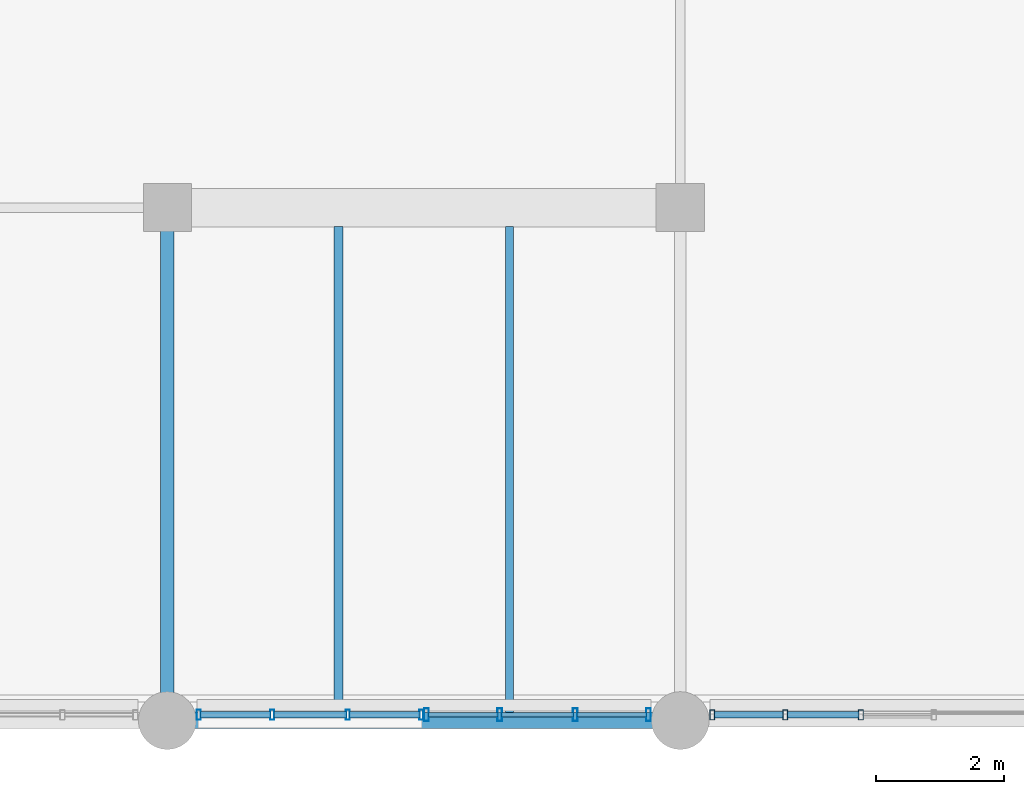
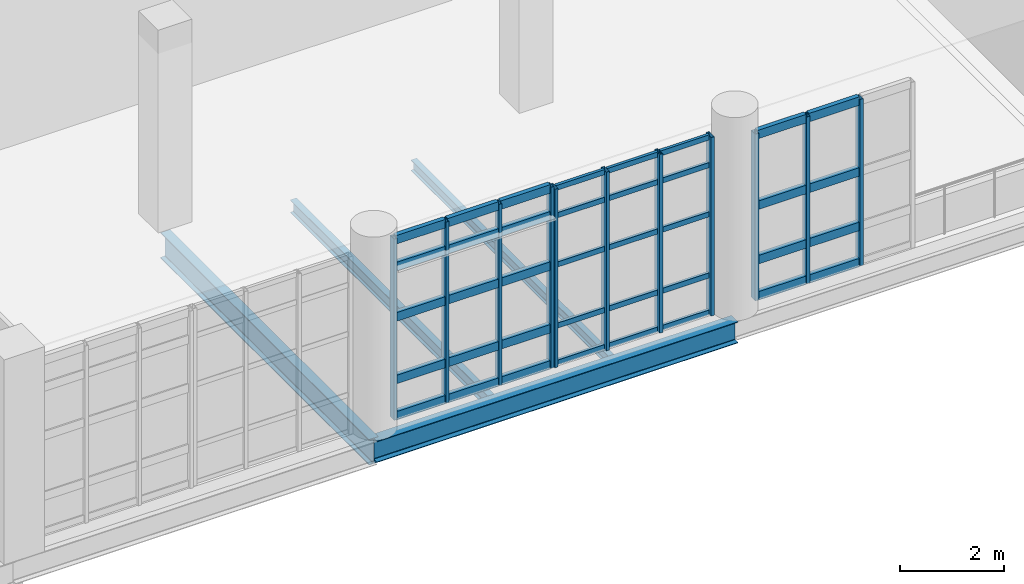
# One storey, part 17 of 100: 49 members, 4 beams, 3 elements without a shape of their own.
"""IFC4 building model written with IfcOpenShell, lengths in metres."""

from ifc_helpers import new_model, si_unit, derived_unit, direction, frame, origin, origin_2d, place, context, subcontext, project, spatial, hollow_rectangle, i_section, extrude, material, layer, layer_set, material_profile, profile_set, type_object, element, aggregate, save


model = new_model("IFC4")

# Units and contexts
model_context = context("Model", 3, precision=1e-05, world=origin(), true_north=direction((0.0, 1.0)))
body_context = subcontext(model_context, "Body", "Model", "MODEL_VIEW")
ifc_project = project(units=[si_unit("LENGTHUNIT", "METRE"), si_unit("AREAUNIT", "SQUARE_METRE"), si_unit("VOLUMEUNIT", "CUBIC_METRE"), si_unit("PLANEANGLEUNIT", "RADIAN"), si_unit("MASSUNIT", "GRAM", prefix="KILO"), derived_unit("THERMALTRANSMITTANCEUNIT", [(si_unit("POWERUNIT", "WATT"), 1), (si_unit("LENGTHUNIT", "METRE"), -2), (si_unit("THERMODYNAMICTEMPERATUREUNIT", "KELVIN"), -1)])], contexts=[model_context])

# Site, building, storey
site_placement = place(None, origin())
site = spatial("IfcSite", under=ifc_project, at=site_placement, CompositionType="ELEMENT")
building_placement = place(site_placement, origin())
building = spatial("IfcBuilding", under=site, at=building_placement, Name="Nallur Shell Playhouse", CompositionType="ELEMENT")
storey_placement = place(building_placement, frame((0.0, 0.0, 10.199951171875)))
storey = spatial("IfcBuildingStorey", under=building, at=storey_placement, Name="L03", CompositionType="ELEMENT", Elevation=10.199951171875)

# Beams
ifc_material_1 = material(Name="Steel E250", Category="steel")
ifc_material_profile_1 = material_profile(ifc_material_1, i_section(OverallWidth=0.125, OverallDepth=0.25, WebThickness=0.0068359375, FlangeThickness=0.012451171875, FilletRadius=0.012939453125, at=origin_2d()), Name="ISMB 250")
ifc_profile_set_1 = profile_set([ifc_material_profile_1], Name="Steel E250")
beam_type_1 = type_object("IfcBeamType", Name="BM-JST-ISMB250", PredefinedType="JOIST", material=ifc_profile_set_1)
beam_1_placement = place(storey_placement, frame((53.333251953125, 8.123046875, -0.385009765625), z_axis=(0.0, 1.0, 0.0), x_axis=(-1.0, 0.0, 0.0)))
element("IfcBeam", 1, at=beam_1_placement, inside=storey, type_object=beam_type_1, Name="L03 secondary joist 6-A-718", PredefinedType="JOIST", context=body_context, shape_type="SweptSolid", body=[
    extrude(i_section(OverallWidth=0.125, OverallDepth=0.25, WebThickness=0.0068359375, FlangeThickness=0.012451171875, FilletRadius=0.012939453125, at=origin_2d()), origin(), (0.0, 0.0, 1.0), 7.578857421875),
])
ifc_material_profile_2 = material_profile(ifc_material_1, i_section(OverallWidth=0.139892578125, OverallDepth=0.300048828125, WebThickness=0.0078125, FlangeThickness=0.01318359375, FilletRadius=0.013916015625, at=origin_2d()), Name="ISMB 300")
ifc_profile_set_2 = profile_set([ifc_material_profile_2], Name="Steel E250")
beam_type_2 = type_object("IfcBeamType", Name="BM-JST-ISMB300", PredefinedType="JOIST", material=ifc_profile_set_2)
beam_2_placement = place(storey_placement, frame((50.666748046875, 8.123046875, -0.409912109375), z_axis=(0.0, 1.0, 0.0), x_axis=(-1.0, 0.0, 0.0)))
element("IfcBeam", 2, at=beam_2_placement, inside=storey, type_object=beam_type_2, Name="L03 secondary joist 6-A-717", PredefinedType="JOIST", context=body_context, shape_type="SweptSolid", body=[
    extrude(i_section(OverallWidth=0.139892578125, OverallDepth=0.300048828125, WebThickness=0.0078125, FlangeThickness=0.01318359375, FilletRadius=0.013916015625, at=origin_2d()), origin(), (0.0, 0.0, 1.0), 7.578857421875),
])
ifc_material_2 = material(Name="Steel E350", Category="steel")
ifc_material_profile_3 = material_profile(ifc_material_2, i_section(OverallWidth=0.2099609375, OverallDepth=0.60009765625, WebThickness=0.011962890625, FlangeThickness=0.020751953125, FilletRadius=0.02001953125, at=origin_2d()), Name="ISMB 600")
ifc_profile_set_3 = profile_set([ifc_material_profile_3], Name="Steel E350")
beam_type_3 = type_object("IfcBeamType", Name="BM-ST-ISMB600", PredefinedType="BEAM", material=ifc_profile_set_3)
beam_3_placement = place(storey_placement, frame((48.0, 8.0, -0.56005859375), z_axis=(0.0, 1.0, 0.0), x_axis=(-1.0, 0.0, 0.0)))
element("IfcBeam", 3, at=beam_3_placement, inside=storey, type_object=beam_type_3, Name="L03 girder Y-6-648", PredefinedType="BEAM", context=body_context, shape_type="SweptSolid", body=[
    extrude(i_section(OverallWidth=0.2099609375, OverallDepth=0.60009765625, WebThickness=0.011962890625, FlangeThickness=0.020751953125, FilletRadius=0.02001953125, at=origin_2d()), origin(), (0.0, 0.0, 1.0), 8.0),
])
ifc_material_profile_4 = material_profile(ifc_material_2, i_section(OverallWidth=0.25, OverallDepth=0.5, WebThickness=0.010009765625, FlangeThickness=0.0146484375, FilletRadius=0.014892578125, at=origin_2d()), Name="ISWB 500")
ifc_profile_set_4 = profile_set([ifc_material_profile_4], Name="Steel E350")
beam_type_4 = type_object("IfcBeamType", Name="BM-ST-ISWB500", PredefinedType="BEAM", material=ifc_profile_set_4)
beam_4_placement = place(storey_placement, frame((48.0, 8.0, -0.510009765625), z_axis=(1.0, 0.0, 0.0), x_axis=(0.0, 1.0, 0.0)))
element("IfcBeam", 4, at=beam_4_placement, inside=storey, type_object=beam_type_4, Name="L03 girder X-A-579", PredefinedType="BEAM", context=body_context, shape_type="SweptSolid", body=[
    extrude(i_section(OverallWidth=0.25, OverallDepth=0.5, WebThickness=0.010009765625, FlangeThickness=0.0146484375, FilletRadius=0.014892578125, at=origin_2d()), origin(), (0.0, 0.0, 1.0), 8.0),
])

# Curtain wall, members
ifc_material_3 = material(Name="Anodised Aluminium Double-Glazed Facade System", Category="aluminium")
ifc_layer_1 = layer(ifc_material_3, 0.16796875)
ifc_layer_set_1 = layer_set([ifc_layer_1], Name="Anodised Aluminium Double-Glazed Facade System")
curtain_wall_type_1 = type_object("IfcCurtainWallType", Name="CW-UNIT-02", PredefinedType="NOTDEFINED", material=ifc_layer_set_1)
curtain_wall_1_placement = place(storey_placement, origin())
curtain_wall_1 = element("IfcCurtainWall", 5, at=curtain_wall_1_placement, inside=storey, type_object=curtain_wall_type_1, Name="Unitised curtain wall CW-098 (L03)", PredefinedType="NOTDEFINED")
ifc_material_4 = material(Name="Aluminium Alloy 6063-T6 Mullion", Category="aluminium")
ifc_material_profile_5 = material_profile(ifc_material_4, hollow_rectangle(XDim=0.080078125, YDim=0.159912109375, WallThickness=0.006103515625, at=origin_2d()), Name="RHS 160x80x6")
ifc_profile_set_5 = profile_set([ifc_material_profile_5], Name="Aluminium Alloy 6063-T6 Mullion")
member_type_1 = type_object("IfcMemberType", Name="MB-CW-MUL150", PredefinedType="MULLION", material=ifc_profile_set_5)
member_1_placement = place(storey_placement, frame((58.81591796875, 8.090087890625, -0.014892578125), z_axis=(0.0, 0.0, 1.0), x_axis=(-1.0, 0.0, 0.0)))
member_1 = element("IfcMember", 6, at=member_1_placement, type_object=member_type_1, Name="CW-02 mullion 2", PredefinedType="MULLION", context=body_context, shape_type="SweptSolid", body=[
    extrude(hollow_rectangle(XDim=0.080078125, YDim=0.159912109375, WallThickness=0.006103515625, at=origin_2d()), origin(), (0.0, 0.0, 1.0), 3.904052734375),
])
member_2_placement = place(storey_placement, frame((57.636962890625, 8.090087890625, -0.014892578125), z_axis=(0.0, 0.0, 1.0), x_axis=(-1.0, 0.0, 0.0)))
member_2 = element("IfcMember", 7, at=member_2_placement, type_object=member_type_1, Name="CW-02 mullion 3", PredefinedType="MULLION", context=body_context, shape_type="SweptSolid", body=[
    extrude(hollow_rectangle(XDim=0.080078125, YDim=0.159912109375, WallThickness=0.006103515625, at=origin_2d()), origin(), (0.0, 0.0, 1.0), 3.904052734375),
])
member_3_placement = place(storey_placement, frame((56.498046875, 8.090087890625, -0.014892578125), z_axis=(0.0, 0.0, 1.0), x_axis=(-1.0, 0.0, 0.0)))
member_3 = element("IfcMember", 8, at=member_3_placement, type_object=member_type_1, Name="CW-02 mullion 4", PredefinedType="MULLION", context=body_context, shape_type="SweptSolid", body=[
    extrude(hollow_rectangle(XDim=0.080078125, YDim=0.159912109375, WallThickness=0.006103515625, at=origin_2d()), origin(), (0.0, 0.0, 1.0), 3.904052734375),
])

ifc_layer_2 = layer(ifc_material_3, 0.176025390625)
ifc_layer_set_2 = layer_set([ifc_layer_2], Name="Anodised Aluminium Double-Glazed Facade System")
curtain_wall_type_2 = type_object("IfcCurtainWallType", Name="CW-UNIT-04", PredefinedType="NOTDEFINED", material=ifc_layer_set_2)
curtain_wall_2_placement = place(storey_placement, origin())
curtain_wall_2 = element("IfcCurtainWall", 9, at=curtain_wall_2_placement, inside=storey, type_object=curtain_wall_type_2, Name="Unitised curtain wall CW-100 (L03)", PredefinedType="NOTDEFINED")
ifc_material_profile_6 = material_profile(ifc_material_4, hollow_rectangle(XDim=0.06494140625, YDim=0.159912109375, WallThickness=0.00390625, at=origin_2d()), Name="ALU 65x160x4")
ifc_profile_set_6 = profile_set([ifc_material_profile_6], Name="Aluminium Alloy 6063-T6 Mullion")
member_type_2 = type_object("IfcMemberType", Name="MB-CW-MUL160", PredefinedType="MULLION", material=ifc_profile_set_6)
member_4_placement = place(storey_placement, frame((51.96240234375, 8.090087890625, -0.014892578125), z_axis=(0.0, 0.0, 1.0), x_axis=(-1.0, 0.0, 0.0)))
member_4 = element("IfcMember", 10, at=member_4_placement, type_object=member_type_2, Name="CW-04 mullion 1", PredefinedType="MULLION", context=body_context, shape_type="SweptSolid", body=[
    extrude(hollow_rectangle(XDim=0.06494140625, YDim=0.159912109375, WallThickness=0.00390625, at=origin_2d()), origin(), (0.0, 0.0, 1.0), 4.243896484375),
])
member_5_placement = place(storey_placement, frame((50.81591796875, 8.090087890625, -0.014892578125), z_axis=(0.0, 0.0, 1.0), x_axis=(-1.0, 0.0, 0.0)))
member_5 = element("IfcMember", 11, at=member_5_placement, type_object=member_type_2, Name="CW-04 mullion 2", PredefinedType="MULLION", context=body_context, shape_type="SweptSolid", body=[
    extrude(hollow_rectangle(XDim=0.06494140625, YDim=0.159912109375, WallThickness=0.00390625, at=origin_2d()), origin(), (0.0, 0.0, 1.0), 4.243896484375),
])
member_6_placement = place(storey_placement, frame((49.636962890625, 8.090087890625, -0.014892578125), z_axis=(0.0, 0.0, 1.0), x_axis=(-1.0, 0.0, 0.0)))
member_6 = element("IfcMember", 12, at=member_6_placement, type_object=member_type_2, Name="CW-04 mullion 3", PredefinedType="MULLION", context=body_context, shape_type="SweptSolid", body=[
    extrude(hollow_rectangle(XDim=0.06494140625, YDim=0.159912109375, WallThickness=0.00390625, at=origin_2d()), origin(), (0.0, 0.0, 1.0), 4.243896484375),
])
member_7_placement = place(storey_placement, frame((48.490478515625, 8.090087890625, -0.014892578125), z_axis=(0.0, 0.0, 1.0), x_axis=(-1.0, 0.0, 0.0)))
member_7 = element("IfcMember", 13, at=member_7_placement, type_object=member_type_2, Name="CW-04 mullion 4", PredefinedType="MULLION", context=body_context, shape_type="SweptSolid", body=[
    extrude(hollow_rectangle(XDim=0.06494140625, YDim=0.159912109375, WallThickness=0.00390625, at=origin_2d()), origin(), (0.0, 0.0, 1.0), 4.243896484375),
])

ifc_layer_3 = layer(ifc_material_3, 0.172119140625)
ifc_layer_set_3 = layer_set([ifc_layer_3], Name="Anodised Aluminium Double-Glazed Facade System")
curtain_wall_type_3 = type_object("IfcCurtainWallType", Name="CW-UNIT-03", PredefinedType="NOTDEFINED", material=ifc_layer_set_3)
curtain_wall_3_placement = place(storey_placement, origin())
curtain_wall_3 = element("IfcCurtainWall", 14, at=curtain_wall_3_placement, inside=storey, type_object=curtain_wall_type_3, Name="Unitised curtain wall CW-099 (L03)", PredefinedType="NOTDEFINED")
ifc_material_profile_7 = material_profile(ifc_material_4, hollow_rectangle(XDim=0.074951171875, YDim=0.199951171875, WallThickness=0.0048828125, at=origin_2d()), Name="ALU 75x200x5")
ifc_profile_set_7 = profile_set([ifc_material_profile_7], Name="Aluminium Alloy 6063-T6 Mullion")
member_type_3 = type_object("IfcMemberType", Name="MB-CW-MUL180", PredefinedType="MULLION", material=ifc_profile_set_7)
member_8_placement = place(storey_placement, frame((55.50439453125, 8.090087890625, -0.014892578125), z_axis=(0.0, 0.0, 1.0), x_axis=(-1.0, 0.0, 0.0)))
member_8 = element("IfcMember", 15, at=member_8_placement, type_object=member_type_3, Name="CW-03 mullion 1", PredefinedType="MULLION", context=body_context, shape_type="SweptSolid", body=[
    extrude(hollow_rectangle(XDim=0.074951171875, YDim=0.199951171875, WallThickness=0.0048828125, at=origin_2d()), origin(), (0.0, 0.0, 1.0), 4.183837890625),
])
member_9_placement = place(storey_placement, frame((54.363037109375, 8.090087890625, -0.014892578125), z_axis=(0.0, 0.0, 1.0), x_axis=(-1.0, 0.0, 0.0)))
member_9 = element("IfcMember", 16, at=member_9_placement, type_object=member_type_3, Name="CW-03 mullion 2", PredefinedType="MULLION", context=body_context, shape_type="SweptSolid", body=[
    extrude(hollow_rectangle(XDim=0.074951171875, YDim=0.199951171875, WallThickness=0.0048828125, at=origin_2d()), origin(), (0.0, 0.0, 1.0), 4.183837890625),
])
member_10_placement = place(storey_placement, frame((53.18408203125, 8.090087890625, -0.014892578125), z_axis=(0.0, 0.0, 1.0), x_axis=(-1.0, 0.0, 0.0)))
member_10 = element("IfcMember", 17, at=member_10_placement, type_object=member_type_3, Name="CW-03 mullion 3", PredefinedType="MULLION", context=body_context, shape_type="SweptSolid", body=[
    extrude(hollow_rectangle(XDim=0.074951171875, YDim=0.199951171875, WallThickness=0.0048828125, at=origin_2d()), origin(), (0.0, 0.0, 1.0), 4.183837890625),
])
member_11_placement = place(storey_placement, frame((52.04248046875, 8.090087890625, -0.014892578125), z_axis=(0.0, 0.0, 1.0), x_axis=(-1.0, 0.0, 0.0)))
member_11 = element("IfcMember", 18, at=member_11_placement, type_object=member_type_3, Name="CW-03 mullion 4", PredefinedType="MULLION", context=body_context, shape_type="SweptSolid", body=[
    extrude(hollow_rectangle(XDim=0.074951171875, YDim=0.199951171875, WallThickness=0.0048828125, at=origin_2d()), origin(), (0.0, 0.0, 1.0), 4.183837890625),
])
ifc_material_5 = material(Name="Aluminium Alloy 6063-T6 Transom", Category="aluminium")
ifc_material_profile_8 = material_profile(ifc_material_5, hollow_rectangle(XDim=0.06494140625, YDim=0.1201171875, WallThickness=0.00390625, at=origin_2d()), Name="ALU 65x120x4")
ifc_profile_set_8 = profile_set([ifc_material_profile_8], Name="Aluminium Alloy 6063-T6 Transom")
member_type_4 = type_object("IfcMemberType", Name="MB-CW-TRN120", PredefinedType="USERDEFINED", material=ifc_profile_set_8)
member_12_placement = place(storey_placement, frame((55.47509765625, 8.090087890625, 0.032470703125), z_axis=(-1.0, 0.0, 0.0), x_axis=(0.0, -1.0, 0.0)))
member_12 = element("IfcMember", 19, at=member_12_placement, type_object=member_type_4, Name="CW-03 transom 1.1", ObjectType="TRANSOM", PredefinedType="USERDEFINED", context=body_context, shape_type="SweptSolid", body=[
    extrude(hollow_rectangle(XDim=0.06494140625, YDim=0.1201171875, WallThickness=0.00390625, at=origin_2d()), origin(), (0.0, 0.0, 1.0), 1.08251953125),
])
member_13_placement = place(storey_placement, frame((55.47509765625, 8.090087890625, 0.900146484375), z_axis=(-1.0, 0.0, 0.0), x_axis=(0.0, -1.0, 0.0)))
member_13 = element("IfcMember", 20, at=member_13_placement, type_object=member_type_4, Name="CW-03 transom 1.2", ObjectType="TRANSOM", PredefinedType="USERDEFINED", context=body_context, shape_type="SweptSolid", body=[
    extrude(hollow_rectangle(XDim=0.06494140625, YDim=0.1201171875, WallThickness=0.00390625, at=origin_2d()), origin(), (0.0, 0.0, 1.0), 1.08251953125),
])
member_14_placement = place(storey_placement, frame((55.47509765625, 8.090087890625, 2.33203125), z_axis=(-1.0, 0.0, 0.0), x_axis=(0.0, -1.0, 0.0)))
member_14 = element("IfcMember", 21, at=member_14_placement, type_object=member_type_4, Name="CW-03 transom 1.3", ObjectType="TRANSOM", PredefinedType="USERDEFINED", context=body_context, shape_type="SweptSolid", body=[
    extrude(hollow_rectangle(XDim=0.06494140625, YDim=0.1201171875, WallThickness=0.00390625, at=origin_2d()), origin(), (0.0, 0.0, 1.0), 1.08251953125),
])
member_15_placement = place(storey_placement, frame((55.47509765625, 8.090087890625, 3.485107421875), z_axis=(-1.0, 0.0, 0.0), x_axis=(0.0, -1.0, 0.0)))
member_15 = element("IfcMember", 22, at=member_15_placement, type_object=member_type_4, Name="CW-03 transom 1.4", ObjectType="TRANSOM", PredefinedType="USERDEFINED", context=body_context, shape_type="SweptSolid", body=[
    extrude(hollow_rectangle(XDim=0.06494140625, YDim=0.1201171875, WallThickness=0.00390625, at=origin_2d()), origin(), (0.0, 0.0, 1.0), 1.08251953125),
])
member_16_placement = place(storey_placement, frame((55.47509765625, 8.090087890625, 4.132568359375), z_axis=(-1.0, 0.0, 0.0), x_axis=(0.0, -1.0, 0.0)))
member_16 = element("IfcMember", 23, at=member_16_placement, type_object=member_type_4, Name="CW-03 transom 1.5", ObjectType="TRANSOM", PredefinedType="USERDEFINED", context=body_context, shape_type="SweptSolid", body=[
    extrude(hollow_rectangle(XDim=0.06494140625, YDim=0.1201171875, WallThickness=0.00390625, at=origin_2d()), origin(), (0.0, 0.0, 1.0), 1.08251953125),
])
member_17_placement = place(storey_placement, frame((54.33349609375, 8.090087890625, 0.032470703125), z_axis=(-1.0, 0.0, 0.0), x_axis=(0.0, -1.0, 0.0)))
member_17 = element("IfcMember", 24, at=member_17_placement, type_object=member_type_4, Name="CW-03 transom 2.1", ObjectType="TRANSOM", PredefinedType="USERDEFINED", context=body_context, shape_type="SweptSolid", body=[
    extrude(hollow_rectangle(XDim=0.06494140625, YDim=0.1201171875, WallThickness=0.00390625, at=origin_2d()), origin(), (0.0, 0.0, 1.0), 1.1201171875),
])
member_18_placement = place(storey_placement, frame((54.33349609375, 8.090087890625, 0.900146484375), z_axis=(-1.0, 0.0, 0.0), x_axis=(0.0, -1.0, 0.0)))
member_18 = element("IfcMember", 25, at=member_18_placement, type_object=member_type_4, Name="CW-03 transom 2.2", ObjectType="TRANSOM", PredefinedType="USERDEFINED", context=body_context, shape_type="SweptSolid", body=[
    extrude(hollow_rectangle(XDim=0.06494140625, YDim=0.1201171875, WallThickness=0.00390625, at=origin_2d()), origin(), (0.0, 0.0, 1.0), 1.1201171875),
])
member_19_placement = place(storey_placement, frame((54.33349609375, 8.090087890625, 2.33203125), z_axis=(-1.0, 0.0, 0.0), x_axis=(0.0, -1.0, 0.0)))
member_19 = element("IfcMember", 26, at=member_19_placement, type_object=member_type_4, Name="CW-03 transom 2.3", ObjectType="TRANSOM", PredefinedType="USERDEFINED", context=body_context, shape_type="SweptSolid", body=[
    extrude(hollow_rectangle(XDim=0.06494140625, YDim=0.1201171875, WallThickness=0.00390625, at=origin_2d()), origin(), (0.0, 0.0, 1.0), 1.1201171875),
])
member_20_placement = place(storey_placement, frame((54.33349609375, 8.090087890625, 3.485107421875), z_axis=(-1.0, 0.0, 0.0), x_axis=(0.0, -1.0, 0.0)))
member_20 = element("IfcMember", 27, at=member_20_placement, type_object=member_type_4, Name="CW-03 transom 2.4", ObjectType="TRANSOM", PredefinedType="USERDEFINED", context=body_context, shape_type="SweptSolid", body=[
    extrude(hollow_rectangle(XDim=0.06494140625, YDim=0.1201171875, WallThickness=0.00390625, at=origin_2d()), origin(), (0.0, 0.0, 1.0), 1.1201171875),
])
member_21_placement = place(storey_placement, frame((54.33349609375, 8.090087890625, 4.132568359375), z_axis=(-1.0, 0.0, 0.0), x_axis=(0.0, -1.0, 0.0)))
member_21 = element("IfcMember", 28, at=member_21_placement, type_object=member_type_4, Name="CW-03 transom 2.5", ObjectType="TRANSOM", PredefinedType="USERDEFINED", context=body_context, shape_type="SweptSolid", body=[
    extrude(hollow_rectangle(XDim=0.06494140625, YDim=0.1201171875, WallThickness=0.00390625, at=origin_2d()), origin(), (0.0, 0.0, 1.0), 1.1201171875),
])
member_22_placement = place(storey_placement, frame((53.154541015625, 8.090087890625, 0.032470703125), z_axis=(-1.0, 0.0, 0.0), x_axis=(0.0, -1.0, 0.0)))
member_22 = element("IfcMember", 29, at=member_22_placement, type_object=member_type_4, Name="CW-03 transom 3.1", ObjectType="TRANSOM", PredefinedType="USERDEFINED", context=body_context, shape_type="SweptSolid", body=[
    extrude(hollow_rectangle(XDim=0.06494140625, YDim=0.1201171875, WallThickness=0.00390625, at=origin_2d()), origin(), (0.0, 0.0, 1.0), 1.08251953125),
])
member_23_placement = place(storey_placement, frame((53.154541015625, 8.090087890625, 0.900146484375), z_axis=(-1.0, 0.0, 0.0), x_axis=(0.0, -1.0, 0.0)))
member_23 = element("IfcMember", 30, at=member_23_placement, type_object=member_type_4, Name="CW-03 transom 3.2", ObjectType="TRANSOM", PredefinedType="USERDEFINED", context=body_context, shape_type="SweptSolid", body=[
    extrude(hollow_rectangle(XDim=0.06494140625, YDim=0.1201171875, WallThickness=0.00390625, at=origin_2d()), origin(), (0.0, 0.0, 1.0), 1.08251953125),
])
member_24_placement = place(storey_placement, frame((53.154541015625, 8.090087890625, 2.33203125), z_axis=(-1.0, 0.0, 0.0), x_axis=(0.0, -1.0, 0.0)))
member_24 = element("IfcMember", 31, at=member_24_placement, type_object=member_type_4, Name="CW-03 transom 3.3", ObjectType="TRANSOM", PredefinedType="USERDEFINED", context=body_context, shape_type="SweptSolid", body=[
    extrude(hollow_rectangle(XDim=0.06494140625, YDim=0.1201171875, WallThickness=0.00390625, at=origin_2d()), origin(), (0.0, 0.0, 1.0), 1.08251953125),
])
member_25_placement = place(storey_placement, frame((53.154541015625, 8.090087890625, 3.485107421875), z_axis=(-1.0, 0.0, 0.0), x_axis=(0.0, -1.0, 0.0)))
member_25 = element("IfcMember", 32, at=member_25_placement, type_object=member_type_4, Name="CW-03 transom 3.4", ObjectType="TRANSOM", PredefinedType="USERDEFINED", context=body_context, shape_type="SweptSolid", body=[
    extrude(hollow_rectangle(XDim=0.06494140625, YDim=0.1201171875, WallThickness=0.00390625, at=origin_2d()), origin(), (0.0, 0.0, 1.0), 1.08251953125),
])
member_26_placement = place(storey_placement, frame((53.154541015625, 8.090087890625, 4.132568359375), z_axis=(-1.0, 0.0, 0.0), x_axis=(0.0, -1.0, 0.0)))
member_26 = element("IfcMember", 33, at=member_26_placement, type_object=member_type_4, Name="CW-03 transom 3.5", ObjectType="TRANSOM", PredefinedType="USERDEFINED", context=body_context, shape_type="SweptSolid", body=[
    extrude(hollow_rectangle(XDim=0.06494140625, YDim=0.1201171875, WallThickness=0.00390625, at=origin_2d()), origin(), (0.0, 0.0, 1.0), 1.08251953125),
])
aggregate(curtain_wall_3, [member_8, member_9, member_10, member_11, member_12, member_13, member_14, member_15, member_16, member_17, member_18, member_19, member_20, member_21, member_22, member_23, member_24, member_25, member_26])

# Member
ifc_material_profile_9 = material_profile(ifc_material_5, hollow_rectangle(XDim=0.10009765625, YDim=0.199951171875, WallThickness=0.008056640625, at=origin_2d()), Name="RHS 200x100x8")
ifc_profile_set_9 = profile_set([ifc_material_profile_9], Name="Aluminium Alloy 6063-T6 Transom")
member_type_5 = type_object("IfcMemberType", Name="MB-CW-TRN140", PredefinedType="USERDEFINED", material=ifc_profile_set_9)
member_27_placement = place(storey_placement, frame((58.783935546875, 8.090087890625, 0.050048828125), z_axis=(-1.0, 0.0, 0.0), x_axis=(0.0, -1.0, 0.0)))
member_27 = element("IfcMember", 34, at=member_27_placement, type_object=member_type_5, Name="CW-02 transom 2.1", ObjectType="TRANSOM", PredefinedType="USERDEFINED", context=body_context, shape_type="SweptSolid", body=[
    extrude(hollow_rectangle(XDim=0.10009765625, YDim=0.199951171875, WallThickness=0.008056640625, at=origin_2d()), origin(), (0.0, 0.0, 1.0), 1.114990234375),
])

member_28_placement = place(storey_placement, frame((58.783935546875, 8.090087890625, 0.900146484375), z_axis=(-1.0, 0.0, 0.0), x_axis=(0.0, -1.0, 0.0)))
member_28 = element("IfcMember", 35, at=member_28_placement, type_object=member_type_5, Name="CW-02 transom 2.2", ObjectType="TRANSOM", PredefinedType="USERDEFINED", context=body_context, shape_type="SweptSolid", body=[
    extrude(hollow_rectangle(XDim=0.10009765625, YDim=0.199951171875, WallThickness=0.008056640625, at=origin_2d()), origin(), (0.0, 0.0, 1.0), 1.114990234375),
])

member_29_placement = place(storey_placement, frame((58.783935546875, 8.090087890625, 2.176025390625), z_axis=(-1.0, 0.0, 0.0), x_axis=(0.0, -1.0, 0.0)))
member_29 = element("IfcMember", 36, at=member_29_placement, type_object=member_type_5, Name="CW-02 transom 2.3", ObjectType="TRANSOM", PredefinedType="USERDEFINED", context=body_context, shape_type="SweptSolid", body=[
    extrude(hollow_rectangle(XDim=0.10009765625, YDim=0.199951171875, WallThickness=0.008056640625, at=origin_2d()), origin(), (0.0, 0.0, 1.0), 1.114990234375),
])

member_30_placement = place(storey_placement, frame((58.783935546875, 8.090087890625, 3.8349609375), z_axis=(-1.0, 0.0, 0.0), x_axis=(0.0, -1.0, 0.0)))
member_30 = element("IfcMember", 37, at=member_30_placement, type_object=member_type_5, Name="CW-02 transom 2.4", ObjectType="TRANSOM", PredefinedType="USERDEFINED", context=body_context, shape_type="SweptSolid", body=[
    extrude(hollow_rectangle(XDim=0.10009765625, YDim=0.199951171875, WallThickness=0.008056640625, at=origin_2d()), origin(), (0.0, 0.0, 1.0), 1.114990234375),
])

member_31_placement = place(storey_placement, frame((57.60498046875, 8.090087890625, 0.050048828125), z_axis=(-1.0, 0.0, 0.0), x_axis=(0.0, -1.0, 0.0)))
member_31 = element("IfcMember", 38, at=member_31_placement, type_object=member_type_5, Name="CW-02 transom 3.1", ObjectType="TRANSOM", PredefinedType="USERDEFINED", context=body_context, shape_type="SweptSolid", body=[
    extrude(hollow_rectangle(XDim=0.10009765625, YDim=0.199951171875, WallThickness=0.008056640625, at=origin_2d()), origin(), (0.0, 0.0, 1.0), 1.074951171875),
])

member_32_placement = place(storey_placement, frame((57.60498046875, 8.090087890625, 0.900146484375), z_axis=(-1.0, 0.0, 0.0), x_axis=(0.0, -1.0, 0.0)))
member_32 = element("IfcMember", 39, at=member_32_placement, type_object=member_type_5, Name="CW-02 transom 3.2", ObjectType="TRANSOM", PredefinedType="USERDEFINED", context=body_context, shape_type="SweptSolid", body=[
    extrude(hollow_rectangle(XDim=0.10009765625, YDim=0.199951171875, WallThickness=0.008056640625, at=origin_2d()), origin(), (0.0, 0.0, 1.0), 1.074951171875),
])

member_33_placement = place(storey_placement, frame((57.60498046875, 8.090087890625, 2.176025390625), z_axis=(-1.0, 0.0, 0.0), x_axis=(0.0, -1.0, 0.0)))
member_33 = element("IfcMember", 40, at=member_33_placement, type_object=member_type_5, Name="CW-02 transom 3.3", ObjectType="TRANSOM", PredefinedType="USERDEFINED", context=body_context, shape_type="SweptSolid", body=[
    extrude(hollow_rectangle(XDim=0.10009765625, YDim=0.199951171875, WallThickness=0.008056640625, at=origin_2d()), origin(), (0.0, 0.0, 1.0), 1.074951171875),
])

member_34_placement = place(storey_placement, frame((57.60498046875, 8.090087890625, 3.8349609375), z_axis=(-1.0, 0.0, 0.0), x_axis=(0.0, -1.0, 0.0)))
member_34 = element("IfcMember", 41, at=member_34_placement, type_object=member_type_5, Name="CW-02 transom 3.4", ObjectType="TRANSOM", PredefinedType="USERDEFINED", context=body_context, shape_type="SweptSolid", body=[
    extrude(hollow_rectangle(XDim=0.10009765625, YDim=0.199951171875, WallThickness=0.008056640625, at=origin_2d()), origin(), (0.0, 0.0, 1.0), 1.074951171875),
])

aggregate(curtain_wall_1, [member_1, member_2, member_3, member_27, member_28, member_29, member_30, member_31, member_32, member_33, member_34])

member_35_placement = place(storey_placement, frame((51.93798828125, 8.090087890625, 0.050048828125), z_axis=(-1.0, 0.0, 0.0), x_axis=(0.0, -1.0, 0.0)))
member_35 = element("IfcMember", 42, at=member_35_placement, type_object=member_type_5, Name="CW-04 transom 1.1", ObjectType="TRANSOM", PredefinedType="USERDEFINED", context=body_context, shape_type="SweptSolid", body=[
    extrude(hollow_rectangle(XDim=0.10009765625, YDim=0.199951171875, WallThickness=0.008056640625, at=origin_2d()), origin(), (0.0, 0.0, 1.0), 1.097412109375),
])

member_36_placement = place(storey_placement, frame((51.93798828125, 8.090087890625, 0.900146484375), z_axis=(-1.0, 0.0, 0.0), x_axis=(0.0, -1.0, 0.0)))
member_36 = element("IfcMember", 43, at=member_36_placement, type_object=member_type_5, Name="CW-04 transom 1.2", ObjectType="TRANSOM", PredefinedType="USERDEFINED", context=body_context, shape_type="SweptSolid", body=[
    extrude(hollow_rectangle(XDim=0.10009765625, YDim=0.199951171875, WallThickness=0.008056640625, at=origin_2d()), origin(), (0.0, 0.0, 1.0), 1.097412109375),
])

member_37_placement = place(storey_placement, frame((51.93798828125, 8.090087890625, 2.365966796875), z_axis=(-1.0, 0.0, 0.0), x_axis=(0.0, -1.0, 0.0)))
member_37 = element("IfcMember", 44, at=member_37_placement, type_object=member_type_5, Name="CW-04 transom 1.3", ObjectType="TRANSOM", PredefinedType="USERDEFINED", context=body_context, shape_type="SweptSolid", body=[
    extrude(hollow_rectangle(XDim=0.10009765625, YDim=0.199951171875, WallThickness=0.008056640625, at=origin_2d()), origin(), (0.0, 0.0, 1.0), 1.097412109375),
])

member_38_placement = place(storey_placement, frame((51.93798828125, 8.090087890625, 3.545166015625), z_axis=(-1.0, 0.0, 0.0), x_axis=(0.0, -1.0, 0.0)))
member_38 = element("IfcMember", 45, at=member_38_placement, type_object=member_type_5, Name="CW-04 transom 1.4", ObjectType="TRANSOM", PredefinedType="USERDEFINED", context=body_context, shape_type="SweptSolid", body=[
    extrude(hollow_rectangle(XDim=0.10009765625, YDim=0.199951171875, WallThickness=0.008056640625, at=origin_2d()), origin(), (0.0, 0.0, 1.0), 1.097412109375),
])

member_39_placement = place(storey_placement, frame((51.93798828125, 8.090087890625, 4.175048828125), z_axis=(-1.0, 0.0, 0.0), x_axis=(0.0, -1.0, 0.0)))
member_39 = element("IfcMember", 46, at=member_39_placement, type_object=member_type_5, Name="CW-04 transom 1.5", ObjectType="TRANSOM", PredefinedType="USERDEFINED", context=body_context, shape_type="SweptSolid", body=[
    extrude(hollow_rectangle(XDim=0.10009765625, YDim=0.199951171875, WallThickness=0.008056640625, at=origin_2d()), origin(), (0.0, 0.0, 1.0), 1.097412109375),
])

member_40_placement = place(storey_placement, frame((50.79150390625, 8.090087890625, 0.050048828125), z_axis=(-1.0, 0.0, 0.0), x_axis=(0.0, -1.0, 0.0)))
member_40 = element("IfcMember", 47, at=member_40_placement, type_object=member_type_5, Name="CW-04 transom 2.1", ObjectType="TRANSOM", PredefinedType="USERDEFINED", context=body_context, shape_type="SweptSolid", body=[
    extrude(hollow_rectangle(XDim=0.10009765625, YDim=0.199951171875, WallThickness=0.008056640625, at=origin_2d()), origin(), (0.0, 0.0, 1.0), 1.1298828125),
])

member_41_placement = place(storey_placement, frame((50.79150390625, 8.090087890625, 0.900146484375), z_axis=(-1.0, 0.0, 0.0), x_axis=(0.0, -1.0, 0.0)))
member_41 = element("IfcMember", 48, at=member_41_placement, type_object=member_type_5, Name="CW-04 transom 2.2", ObjectType="TRANSOM", PredefinedType="USERDEFINED", context=body_context, shape_type="SweptSolid", body=[
    extrude(hollow_rectangle(XDim=0.10009765625, YDim=0.199951171875, WallThickness=0.008056640625, at=origin_2d()), origin(), (0.0, 0.0, 1.0), 1.1298828125),
])

member_42_placement = place(storey_placement, frame((50.79150390625, 8.090087890625, 2.365966796875), z_axis=(-1.0, 0.0, 0.0), x_axis=(0.0, -1.0, 0.0)))
member_42 = element("IfcMember", 49, at=member_42_placement, type_object=member_type_5, Name="CW-04 transom 2.3", ObjectType="TRANSOM", PredefinedType="USERDEFINED", context=body_context, shape_type="SweptSolid", body=[
    extrude(hollow_rectangle(XDim=0.10009765625, YDim=0.199951171875, WallThickness=0.008056640625, at=origin_2d()), origin(), (0.0, 0.0, 1.0), 1.1298828125),
])

member_43_placement = place(storey_placement, frame((50.79150390625, 8.090087890625, 3.545166015625), z_axis=(-1.0, 0.0, 0.0), x_axis=(0.0, -1.0, 0.0)))
member_43 = element("IfcMember", 50, at=member_43_placement, type_object=member_type_5, Name="CW-04 transom 2.4", ObjectType="TRANSOM", PredefinedType="USERDEFINED", context=body_context, shape_type="SweptSolid", body=[
    extrude(hollow_rectangle(XDim=0.10009765625, YDim=0.199951171875, WallThickness=0.008056640625, at=origin_2d()), origin(), (0.0, 0.0, 1.0), 1.1298828125),
])

member_44_placement = place(storey_placement, frame((50.79150390625, 8.090087890625, 4.175048828125), z_axis=(-1.0, 0.0, 0.0), x_axis=(0.0, -1.0, 0.0)))
member_44 = element("IfcMember", 51, at=member_44_placement, type_object=member_type_5, Name="CW-04 transom 2.5", ObjectType="TRANSOM", PredefinedType="USERDEFINED", context=body_context, shape_type="SweptSolid", body=[
    extrude(hollow_rectangle(XDim=0.10009765625, YDim=0.199951171875, WallThickness=0.008056640625, at=origin_2d()), origin(), (0.0, 0.0, 1.0), 1.1298828125),
])

member_45_placement = place(storey_placement, frame((49.612548828125, 8.090087890625, 0.050048828125), z_axis=(-1.0, 0.0, 0.0), x_axis=(0.0, -1.0, 0.0)))
member_45 = element("IfcMember", 52, at=member_45_placement, type_object=member_type_5, Name="CW-04 transom 3.1", ObjectType="TRANSOM", PredefinedType="USERDEFINED", context=body_context, shape_type="SweptSolid", body=[
    extrude(hollow_rectangle(XDim=0.10009765625, YDim=0.199951171875, WallThickness=0.008056640625, at=origin_2d()), origin(), (0.0, 0.0, 1.0), 1.09765625),
])

member_46_placement = place(storey_placement, frame((49.612548828125, 8.090087890625, 0.900146484375), z_axis=(-1.0, 0.0, 0.0), x_axis=(0.0, -1.0, 0.0)))
member_46 = element("IfcMember", 53, at=member_46_placement, type_object=member_type_5, Name="CW-04 transom 3.2", ObjectType="TRANSOM", PredefinedType="USERDEFINED", context=body_context, shape_type="SweptSolid", body=[
    extrude(hollow_rectangle(XDim=0.10009765625, YDim=0.199951171875, WallThickness=0.008056640625, at=origin_2d()), origin(), (0.0, 0.0, 1.0), 1.09765625),
])

member_47_placement = place(storey_placement, frame((49.612548828125, 8.090087890625, 2.365966796875), z_axis=(-1.0, 0.0, 0.0), x_axis=(0.0, -1.0, 0.0)))
member_47 = element("IfcMember", 54, at=member_47_placement, type_object=member_type_5, Name="CW-04 transom 3.3", ObjectType="TRANSOM", PredefinedType="USERDEFINED", context=body_context, shape_type="SweptSolid", body=[
    extrude(hollow_rectangle(XDim=0.10009765625, YDim=0.199951171875, WallThickness=0.008056640625, at=origin_2d()), origin(), (0.0, 0.0, 1.0), 1.09765625),
])

member_48_placement = place(storey_placement, frame((49.612548828125, 8.090087890625, 3.545166015625), z_axis=(-1.0, 0.0, 0.0), x_axis=(0.0, -1.0, 0.0)))
member_48 = element("IfcMember", 55, at=member_48_placement, type_object=member_type_5, Name="CW-04 transom 3.4", ObjectType="TRANSOM", PredefinedType="USERDEFINED", context=body_context, shape_type="SweptSolid", body=[
    extrude(hollow_rectangle(XDim=0.10009765625, YDim=0.199951171875, WallThickness=0.008056640625, at=origin_2d()), origin(), (0.0, 0.0, 1.0), 1.09765625),
])

member_49_placement = place(storey_placement, frame((49.612548828125, 8.090087890625, 4.175048828125), z_axis=(-1.0, 0.0, 0.0), x_axis=(0.0, -1.0, 0.0)))
member_49 = element("IfcMember", 56, at=member_49_placement, type_object=member_type_5, Name="CW-04 transom 3.5", ObjectType="TRANSOM", PredefinedType="USERDEFINED", context=body_context, shape_type="SweptSolid", body=[
    extrude(hollow_rectangle(XDim=0.10009765625, YDim=0.199951171875, WallThickness=0.008056640625, at=origin_2d()), origin(), (0.0, 0.0, 1.0), 1.09765625),
])

aggregate(curtain_wall_2, [member_4, member_5, member_6, member_7, member_35, member_36, member_37, member_38, member_39, member_40, member_41, member_42, member_43, member_44, member_45, member_46, member_47, member_48, member_49])

save(model, "model.ifc")
